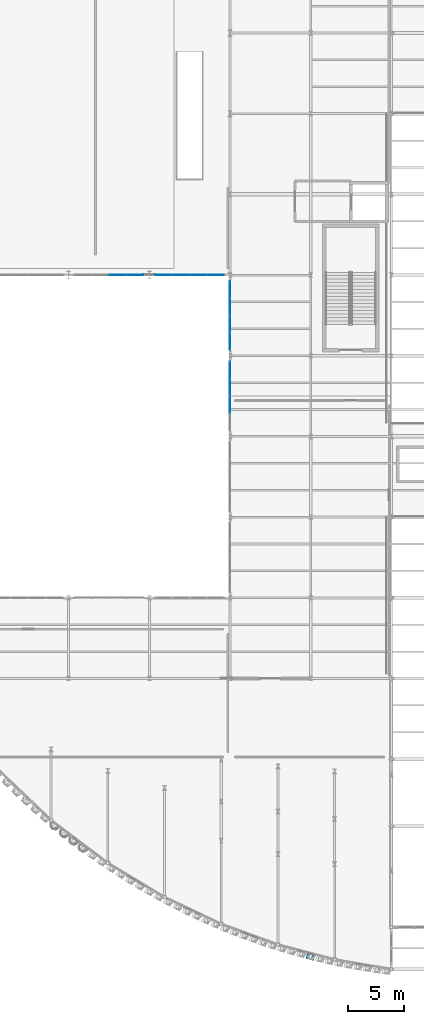
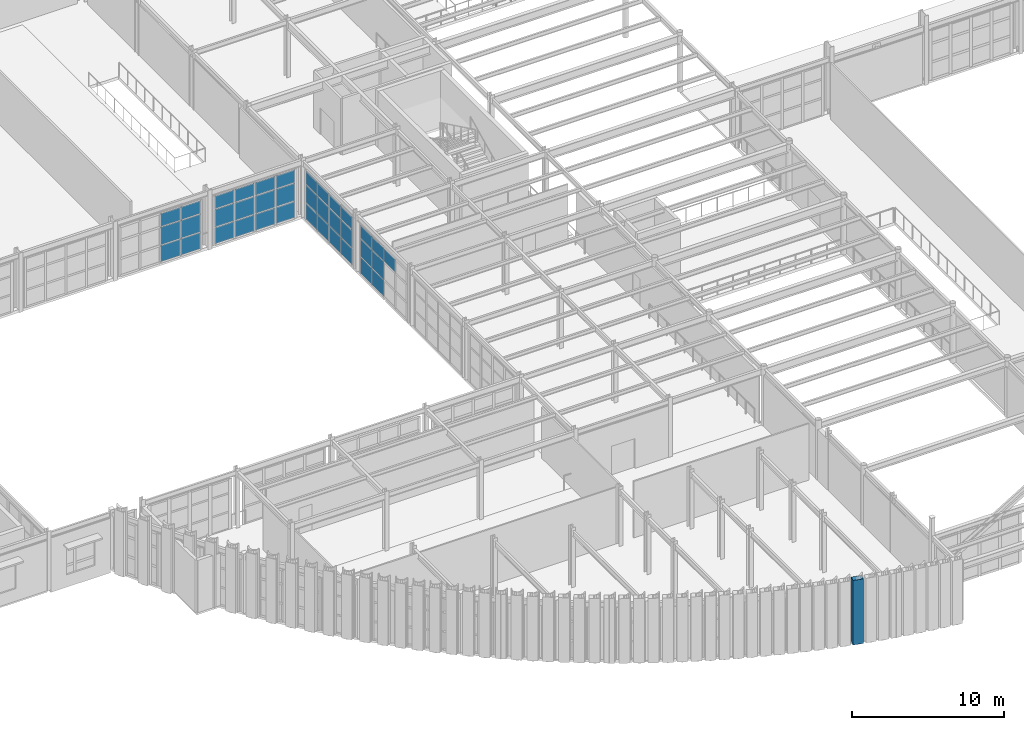
# One storey, part 87 of 126: 38 plates, 4 elements without a shape of their own.
"""IFC4 building model written with IfcOpenShell, lengths in metres."""

from ifc_helpers import new_model, si_unit, direction, frame, origin, origin_2d, place, context, subcontext, project, spatial, rectangle, extrude, material, layer, layer_set, type_object, element, aggregate, save


model = new_model("IFC4")

# Units and contexts
model_context = context("Model", 3, precision=1e-05, world=origin(), true_north=direction((0.0, 1.0)))
body_context = subcontext(model_context, "Body", "Model", "MODEL_VIEW")
ifc_project = project(units=[si_unit("LENGTHUNIT", "METRE"), si_unit("AREAUNIT", "SQUARE_METRE"), si_unit("VOLUMEUNIT", "CUBIC_METRE"), si_unit("PLANEANGLEUNIT", "RADIAN"), si_unit("MASSUNIT", "GRAM", prefix="KILO")], contexts=[model_context])

# Site, building, storey
site_placement = place(None, origin())
site = spatial("IfcSite", under=ifc_project, at=site_placement, CompositionType="ELEMENT")
building_placement = place(site_placement, origin())
building = spatial("IfcBuilding", under=site, at=building_placement, Name="Solvadek Multi-Sports Hall", CompositionType="ELEMENT")
storey_placement = place(building_placement, frame((0.0, 0.0, 9.60009765625)))
storey = spatial("IfcBuildingStorey", under=building, at=storey_placement, Name="L02", CompositionType="ELEMENT", Elevation=9.60009765625)

# Curtain wall, plates
ifc_material_1 = material(Name="Anodised aluminium", Category="aluminium")
ifc_layer_1 = layer(ifc_material_1, 0.159912109375, Name="Anodised aluminium")
ifc_layer_set_1 = layer_set([ifc_layer_1], Name="Anodised aluminium")
curtain_wall_type_1 = type_object("IfcCurtainWallType", Name="ENV-CW-624X400", PredefinedType="USERDEFINED", material=ifc_layer_set_1)
curtain_wall_1_placement = place(storey_placement, origin())
curtain_wall_1 = element("IfcCurtainWall", 1, at=curtain_wall_1_placement, inside=storey, type_object=curtain_wall_type_1, Name="L02 Perimeter Bay Curtain Wall #173", ObjectType="CURTAIN WALL", PredefinedType="USERDEFINED")
ifc_material_2 = material(Name="Tempered laminated low-E glass", Category="glass")
ifc_layer_2 = layer(ifc_material_2, 0.02392578125, Name="Tempered laminated low-E glass")
ifc_layer_set_2 = layer_set([ifc_layer_2], Name="Tempered laminated low-E glass")
plate_type_1 = type_object("IfcPlateType", Name="ENV-CWP-01", PredefinedType="CURTAIN_PANEL", material=ifc_layer_set_2)
plate_1_placement = place(storey_placement, frame((47.580078125, 49.199951171875, 0.06494140625), z_axis=(0.0, 0.0, 1.0), x_axis=(1.0, 0.0, 0.0)))
plate_1 = element("IfcPlate", 2, at=plate_1_placement, type_object=plate_type_1, Name="CW-56 panel 3.1", PredefinedType="CURTAIN_PANEL", context=body_context, shape_type="SweptSolid", body=[
    extrude(rectangle(XDim=1.5, YDim=0.02392578125, at=origin_2d()), origin(), (0.0, 0.0, 1.0), 1.302490234375),
])
plate_2_placement = place(storey_placement, frame((47.580078125, 49.199951171875, 1.432373046875), z_axis=(0.0, 0.0, 1.0), x_axis=(1.0, 0.0, 0.0)))
plate_2 = element("IfcPlate", 3, at=plate_2_placement, type_object=plate_type_1, Name="CW-56 panel 3.2", PredefinedType="CURTAIN_PANEL", context=body_context, shape_type="SweptSolid", body=[
    extrude(rectangle(XDim=1.5, YDim=0.02392578125, at=origin_2d()), origin(), (0.0, 0.0, 1.0), 1.4150390625),
])
plate_3_placement = place(storey_placement, frame((47.580078125, 49.199951171875, 2.912353515625), z_axis=(0.0, 0.0, 1.0), x_axis=(1.0, 0.0, 0.0)))
plate_3 = element("IfcPlate", 4, at=plate_3_placement, type_object=plate_type_1, Name="CW-56 panel 3.3", PredefinedType="CURTAIN_PANEL", context=body_context, shape_type="SweptSolid", body=[
    extrude(rectangle(XDim=1.5, YDim=0.02392578125, at=origin_2d()), origin(), (0.0, 0.0, 1.0), 1.0224609375),
])
plate_4_placement = place(storey_placement, frame((49.125, 49.199951171875, 0.06494140625), z_axis=(0.0, 0.0, 1.0), x_axis=(1.0, 0.0, 0.0)))
plate_4 = element("IfcPlate", 5, at=plate_4_placement, type_object=plate_type_1, Name="CW-56 panel 4.1", PredefinedType="CURTAIN_PANEL", context=body_context, shape_type="SweptSolid", body=[
    extrude(rectangle(XDim=1.469970703125, YDim=0.02392578125, at=origin_2d()), origin(), (0.0, 0.0, 1.0), 1.302490234375),
])
plate_5_placement = place(storey_placement, frame((49.125, 49.199951171875, 1.432373046875), z_axis=(0.0, 0.0, 1.0), x_axis=(1.0, 0.0, 0.0)))
plate_5 = element("IfcPlate", 6, at=plate_5_placement, type_object=plate_type_1, Name="CW-56 panel 4.2", PredefinedType="CURTAIN_PANEL", context=body_context, shape_type="SweptSolid", body=[
    extrude(rectangle(XDim=1.469970703125, YDim=0.02392578125, at=origin_2d()), origin(), (0.0, 0.0, 1.0), 1.4150390625),
])
plate_6_placement = place(storey_placement, frame((49.125, 49.199951171875, 2.912353515625), z_axis=(0.0, 0.0, 1.0), x_axis=(1.0, 0.0, 0.0)))
plate_6 = element("IfcPlate", 7, at=plate_6_placement, type_object=plate_type_1, Name="CW-56 panel 4.3", PredefinedType="CURTAIN_PANEL", context=body_context, shape_type="SweptSolid", body=[
    extrude(rectangle(XDim=1.469970703125, YDim=0.02392578125, at=origin_2d()), origin(), (0.0, 0.0, 1.0), 1.0224609375),
])
aggregate(curtain_wall_1, [plate_1, plate_2, plate_3, plate_4, plate_5, plate_6])

curtain_wall_2_placement = place(storey_placement, origin())
curtain_wall_2 = element("IfcCurtainWall", 8, at=curtain_wall_2_placement, inside=storey, type_object=curtain_wall_type_1, Name="L02 Perimeter Bay Curtain Wall #196", ObjectType="CURTAIN WALL", PredefinedType="USERDEFINED")
plate_7_placement = place(storey_placement, frame((57.60009765625, 37.6201171875, 2.912353515625), z_axis=(0.0, 0.0, 1.0), x_axis=(0.0, 1.0, 0.0)))
plate_7 = element("IfcPlate", 9, at=plate_7_placement, type_object=plate_type_1, Name="CW-56 panel 2.3", PredefinedType="CURTAIN_PANEL", context=body_context, shape_type="SweptSolid", body=[
    extrude(rectangle(XDim=1.5, YDim=0.02392578125, at=origin_2d()), origin(), (0.0, 0.0, 1.0), 1.0224609375),
])
plate_8_placement = place(storey_placement, frame((57.60009765625, 39.179931640625, 0.06494140625), z_axis=(0.0, 0.0, 1.0), x_axis=(0.0, 1.0, 0.0)))
plate_8 = element("IfcPlate", 10, at=plate_8_placement, type_object=plate_type_1, Name="CW-56 panel 3.1", PredefinedType="CURTAIN_PANEL", context=body_context, shape_type="SweptSolid", body=[
    extrude(rectangle(XDim=1.5, YDim=0.02392578125, at=origin_2d()), origin(), (0.0, 0.0, 1.0), 1.302490234375),
])
plate_9_placement = place(storey_placement, frame((57.60009765625, 39.179931640625, 1.432373046875), z_axis=(0.0, 0.0, 1.0), x_axis=(0.0, 1.0, 0.0)))
plate_9 = element("IfcPlate", 11, at=plate_9_placement, type_object=plate_type_1, Name="CW-56 panel 3.2", PredefinedType="CURTAIN_PANEL", context=body_context, shape_type="SweptSolid", body=[
    extrude(rectangle(XDim=1.5, YDim=0.02392578125, at=origin_2d()), origin(), (0.0, 0.0, 1.0), 1.4150390625),
])
plate_10_placement = place(storey_placement, frame((57.60009765625, 39.179931640625, 2.912353515625), z_axis=(0.0, 0.0, 1.0), x_axis=(0.0, 1.0, 0.0)))
plate_10 = element("IfcPlate", 12, at=plate_10_placement, type_object=plate_type_1, Name="CW-56 panel 3.3", PredefinedType="CURTAIN_PANEL", context=body_context, shape_type="SweptSolid", body=[
    extrude(rectangle(XDim=1.5, YDim=0.02392578125, at=origin_2d()), origin(), (0.0, 0.0, 1.0), 1.0224609375),
])
plate_11_placement = place(storey_placement, frame((57.60009765625, 40.72509765625, 0.06494140625), z_axis=(0.0, 0.0, 1.0), x_axis=(0.0, 1.0, 0.0)))
plate_11 = element("IfcPlate", 13, at=plate_11_placement, type_object=plate_type_1, Name="CW-56 panel 4.1", PredefinedType="CURTAIN_PANEL", context=body_context, shape_type="SweptSolid", body=[
    extrude(rectangle(XDim=1.469970703125, YDim=0.02392578125, at=origin_2d()), origin(), (0.0, 0.0, 1.0), 1.302490234375),
])
plate_12_placement = place(storey_placement, frame((57.60009765625, 40.72509765625, 1.432373046875), z_axis=(0.0, 0.0, 1.0), x_axis=(0.0, 1.0, 0.0)))
plate_12 = element("IfcPlate", 14, at=plate_12_placement, type_object=plate_type_1, Name="CW-56 panel 4.2", PredefinedType="CURTAIN_PANEL", context=body_context, shape_type="SweptSolid", body=[
    extrude(rectangle(XDim=1.469970703125, YDim=0.02392578125, at=origin_2d()), origin(), (0.0, 0.0, 1.0), 1.4150390625),
])
plate_13_placement = place(storey_placement, frame((57.60009765625, 40.72509765625, 2.912353515625), z_axis=(0.0, 0.0, 1.0), x_axis=(0.0, 1.0, 0.0)))
plate_13 = element("IfcPlate", 15, at=plate_13_placement, type_object=plate_type_1, Name="CW-56 panel 4.3", PredefinedType="CURTAIN_PANEL", context=body_context, shape_type="SweptSolid", body=[
    extrude(rectangle(XDim=1.469970703125, YDim=0.02392578125, at=origin_2d()), origin(), (0.0, 0.0, 1.0), 1.0224609375),
])
aggregate(curtain_wall_2, [plate_7, plate_8, plate_9, plate_10, plate_11, plate_12, plate_13])

ifc_layer_3 = layer(ifc_material_1, 0.159912109375, Name="Anodised aluminium")
ifc_layer_set_3 = layer_set([ifc_layer_3], Name="Anodised aluminium")
curtain_wall_type_2 = type_object("IfcCurtainWallType", Name="ENV-CW-624X397", PredefinedType="USERDEFINED", material=ifc_layer_set_3)
curtain_wall_3_placement = place(storey_placement, origin())
curtain_wall_3 = element("IfcCurtainWall", 16, at=curtain_wall_3_placement, inside=storey, type_object=curtain_wall_type_2, Name="L02 Perimeter Bay Curtain Wall #179", ObjectType="CURTAIN WALL", PredefinedType="USERDEFINED")
ifc_layer_4 = layer(ifc_material_2, 0.028076171875, Name="Tempered laminated low-E glass")
ifc_layer_set_4 = layer_set([ifc_layer_4], Name="Tempered laminated low-E glass")
plate_type_2 = type_object("IfcPlateType", Name="ENV-CWP-02", PredefinedType="CURTAIN_PANEL", material=ifc_layer_set_4)
plate_14_placement = place(storey_placement, frame((51.67626953125, 49.199951171875, 0.06494140625), z_axis=(0.0, 0.0, 1.0), x_axis=(1.0, 0.0, 0.0)))
plate_14 = element("IfcPlate", 17, at=plate_14_placement, type_object=plate_type_2, Name="CW-57 panel 1.1", PredefinedType="CURTAIN_PANEL", context=body_context, shape_type="SweptSolid", body=[
    extrude(rectangle(XDim=1.46240234375, YDim=0.028076171875, at=origin_2d()), origin(), (0.0, 0.0, 1.0), 1.29345703125),
])
plate_15_placement = place(storey_placement, frame((51.67626953125, 49.199951171875, 1.42333984375), z_axis=(0.0, 0.0, 1.0), x_axis=(1.0, 0.0, 0.0)))
plate_15 = element("IfcPlate", 18, at=plate_15_placement, type_object=plate_type_2, Name="CW-57 panel 1.2", PredefinedType="CURTAIN_PANEL", context=body_context, shape_type="SweptSolid", body=[
    extrude(rectangle(XDim=1.46240234375, YDim=0.028076171875, at=origin_2d()), origin(), (0.0, 0.0, 1.0), 1.406005859375),
])
plate_16_placement = place(storey_placement, frame((51.67626953125, 49.199951171875, 2.89453125), z_axis=(0.0, 0.0, 1.0), x_axis=(1.0, 0.0, 0.0)))
plate_16 = element("IfcPlate", 19, at=plate_16_placement, type_object=plate_type_2, Name="CW-57 panel 1.3", PredefinedType="CURTAIN_PANEL", context=body_context, shape_type="SweptSolid", body=[
    extrude(rectangle(XDim=1.46240234375, YDim=0.028076171875, at=origin_2d()), origin(), (0.0, 0.0, 1.0), 1.015380859375),
])
plate_17_placement = place(storey_placement, frame((53.219970703125, 49.199951171875, 0.06494140625), z_axis=(0.0, 0.0, 1.0), x_axis=(1.0, 0.0, 0.0)))
plate_17 = element("IfcPlate", 20, at=plate_17_placement, type_object=plate_type_2, Name="CW-57 panel 2.1", PredefinedType="CURTAIN_PANEL", context=body_context, shape_type="SweptSolid", body=[
    extrude(rectangle(XDim=1.4951171875, YDim=0.028076171875, at=origin_2d()), origin(), (0.0, 0.0, 1.0), 1.29345703125),
])
plate_18_placement = place(storey_placement, frame((53.219970703125, 49.199951171875, 1.42333984375), z_axis=(0.0, 0.0, 1.0), x_axis=(1.0, 0.0, 0.0)))
plate_18 = element("IfcPlate", 21, at=plate_18_placement, type_object=plate_type_2, Name="CW-57 panel 2.2", PredefinedType="CURTAIN_PANEL", context=body_context, shape_type="SweptSolid", body=[
    extrude(rectangle(XDim=1.4951171875, YDim=0.028076171875, at=origin_2d()), origin(), (0.0, 0.0, 1.0), 1.406005859375),
])
plate_19_placement = place(storey_placement, frame((53.219970703125, 49.199951171875, 2.89453125), z_axis=(0.0, 0.0, 1.0), x_axis=(1.0, 0.0, 0.0)))
plate_19 = element("IfcPlate", 22, at=plate_19_placement, type_object=plate_type_2, Name="CW-57 panel 2.3", PredefinedType="CURTAIN_PANEL", context=body_context, shape_type="SweptSolid", body=[
    extrude(rectangle(XDim=1.4951171875, YDim=0.028076171875, at=origin_2d()), origin(), (0.0, 0.0, 1.0), 1.015380859375),
])
plate_20_placement = place(storey_placement, frame((54.780029296875, 49.199951171875, 0.06494140625), z_axis=(0.0, 0.0, 1.0), x_axis=(1.0, 0.0, 0.0)))
plate_20 = element("IfcPlate", 23, at=plate_20_placement, type_object=plate_type_2, Name="CW-57 panel 3.1", PredefinedType="CURTAIN_PANEL", context=body_context, shape_type="SweptSolid", body=[
    extrude(rectangle(XDim=1.4951171875, YDim=0.028076171875, at=origin_2d()), origin(), (0.0, 0.0, 1.0), 1.29345703125),
])
plate_21_placement = place(storey_placement, frame((54.780029296875, 49.199951171875, 1.42333984375), z_axis=(0.0, 0.0, 1.0), x_axis=(1.0, 0.0, 0.0)))
plate_21 = element("IfcPlate", 24, at=plate_21_placement, type_object=plate_type_2, Name="CW-57 panel 3.2", PredefinedType="CURTAIN_PANEL", context=body_context, shape_type="SweptSolid", body=[
    extrude(rectangle(XDim=1.4951171875, YDim=0.028076171875, at=origin_2d()), origin(), (0.0, 0.0, 1.0), 1.406005859375),
])
plate_22_placement = place(storey_placement, frame((54.780029296875, 49.199951171875, 2.89453125), z_axis=(0.0, 0.0, 1.0), x_axis=(1.0, 0.0, 0.0)))
plate_22 = element("IfcPlate", 25, at=plate_22_placement, type_object=plate_type_2, Name="CW-57 panel 3.3", PredefinedType="CURTAIN_PANEL", context=body_context, shape_type="SweptSolid", body=[
    extrude(rectangle(XDim=1.4951171875, YDim=0.028076171875, at=origin_2d()), origin(), (0.0, 0.0, 1.0), 1.015380859375),
])
plate_23_placement = place(storey_placement, frame((56.32373046875, 49.199951171875, 0.06494140625), z_axis=(0.0, 0.0, 1.0), x_axis=(1.0, 0.0, 0.0)))
plate_23 = element("IfcPlate", 26, at=plate_23_placement, type_object=plate_type_2, Name="CW-57 panel 4.1", PredefinedType="CURTAIN_PANEL", context=body_context, shape_type="SweptSolid", body=[
    extrude(rectangle(XDim=1.46240234375, YDim=0.028076171875, at=origin_2d()), origin(), (0.0, 0.0, 1.0), 1.29345703125),
])
plate_24_placement = place(storey_placement, frame((56.32373046875, 49.199951171875, 1.42333984375), z_axis=(0.0, 0.0, 1.0), x_axis=(1.0, 0.0, 0.0)))
plate_24 = element("IfcPlate", 27, at=plate_24_placement, type_object=plate_type_2, Name="CW-57 panel 4.2", PredefinedType="CURTAIN_PANEL", context=body_context, shape_type="SweptSolid", body=[
    extrude(rectangle(XDim=1.46240234375, YDim=0.028076171875, at=origin_2d()), origin(), (0.0, 0.0, 1.0), 1.406005859375),
])
plate_25_placement = place(storey_placement, frame((56.32373046875, 49.199951171875, 2.89453125), z_axis=(0.0, 0.0, 1.0), x_axis=(1.0, 0.0, 0.0)))
plate_25 = element("IfcPlate", 28, at=plate_25_placement, type_object=plate_type_2, Name="CW-57 panel 4.3", PredefinedType="CURTAIN_PANEL", context=body_context, shape_type="SweptSolid", body=[
    extrude(rectangle(XDim=1.46240234375, YDim=0.028076171875, at=origin_2d()), origin(), (0.0, 0.0, 1.0), 1.015380859375),
])
aggregate(curtain_wall_3, [plate_14, plate_15, plate_16, plate_17, plate_18, plate_19, plate_20, plate_21, plate_22, plate_23, plate_24, plate_25])

curtain_wall_4_placement = place(storey_placement, origin())
curtain_wall_4 = element("IfcCurtainWall", 29, at=curtain_wall_4_placement, inside=storey, type_object=curtain_wall_type_2, Name="L02 Perimeter Bay Curtain Wall #202", ObjectType="CURTAIN WALL", PredefinedType="USERDEFINED")
plate_26_placement = place(storey_placement, frame((57.60009765625, 43.2763671875, 0.06494140625), z_axis=(0.0, 0.0, 1.0), x_axis=(0.0, 1.0, 0.0)))
plate_26 = element("IfcPlate", 30, at=plate_26_placement, type_object=plate_type_2, Name="CW-57 panel 1.1", PredefinedType="CURTAIN_PANEL", context=body_context, shape_type="SweptSolid", body=[
    extrude(rectangle(XDim=1.46240234375, YDim=0.028076171875, at=origin_2d()), origin(), (0.0, 0.0, 1.0), 1.29345703125),
])
plate_27_placement = place(storey_placement, frame((57.60009765625, 43.2763671875, 1.42333984375), z_axis=(0.0, 0.0, 1.0), x_axis=(0.0, 1.0, 0.0)))
plate_27 = element("IfcPlate", 31, at=plate_27_placement, type_object=plate_type_2, Name="CW-57 panel 1.2", PredefinedType="CURTAIN_PANEL", context=body_context, shape_type="SweptSolid", body=[
    extrude(rectangle(XDim=1.46240234375, YDim=0.028076171875, at=origin_2d()), origin(), (0.0, 0.0, 1.0), 1.406005859375),
])
plate_28_placement = place(storey_placement, frame((57.60009765625, 43.2763671875, 2.89453125), z_axis=(0.0, 0.0, 1.0), x_axis=(0.0, 1.0, 0.0)))
plate_28 = element("IfcPlate", 32, at=plate_28_placement, type_object=plate_type_2, Name="CW-57 panel 1.3", PredefinedType="CURTAIN_PANEL", context=body_context, shape_type="SweptSolid", body=[
    extrude(rectangle(XDim=1.46240234375, YDim=0.028076171875, at=origin_2d()), origin(), (0.0, 0.0, 1.0), 1.015380859375),
])
plate_29_placement = place(storey_placement, frame((57.60009765625, 44.820068359375, 0.06494140625), z_axis=(0.0, 0.0, 1.0), x_axis=(0.0, 1.0, 0.0)))
plate_29 = element("IfcPlate", 33, at=plate_29_placement, type_object=plate_type_2, Name="CW-57 panel 2.1", PredefinedType="CURTAIN_PANEL", context=body_context, shape_type="SweptSolid", body=[
    extrude(rectangle(XDim=1.4951171875, YDim=0.028076171875, at=origin_2d()), origin(), (0.0, 0.0, 1.0), 1.29345703125),
])
plate_30_placement = place(storey_placement, frame((57.60009765625, 44.820068359375, 1.42333984375), z_axis=(0.0, 0.0, 1.0), x_axis=(0.0, 1.0, 0.0)))
plate_30 = element("IfcPlate", 34, at=plate_30_placement, type_object=plate_type_2, Name="CW-57 panel 2.2", PredefinedType="CURTAIN_PANEL", context=body_context, shape_type="SweptSolid", body=[
    extrude(rectangle(XDim=1.4951171875, YDim=0.028076171875, at=origin_2d()), origin(), (0.0, 0.0, 1.0), 1.406005859375),
])
plate_31_placement = place(storey_placement, frame((57.60009765625, 44.820068359375, 2.89453125), z_axis=(0.0, 0.0, 1.0), x_axis=(0.0, 1.0, 0.0)))
plate_31 = element("IfcPlate", 35, at=plate_31_placement, type_object=plate_type_2, Name="CW-57 panel 2.3", PredefinedType="CURTAIN_PANEL", context=body_context, shape_type="SweptSolid", body=[
    extrude(rectangle(XDim=1.4951171875, YDim=0.028076171875, at=origin_2d()), origin(), (0.0, 0.0, 1.0), 1.015380859375),
])
plate_32_placement = place(storey_placement, frame((57.60009765625, 46.3798828125, 0.06494140625), z_axis=(0.0, 0.0, 1.0), x_axis=(0.0, 1.0, 0.0)))
plate_32 = element("IfcPlate", 36, at=plate_32_placement, type_object=plate_type_2, Name="CW-57 panel 3.1", PredefinedType="CURTAIN_PANEL", context=body_context, shape_type="SweptSolid", body=[
    extrude(rectangle(XDim=1.4951171875, YDim=0.028076171875, at=origin_2d()), origin(), (0.0, 0.0, 1.0), 1.29345703125),
])
plate_33_placement = place(storey_placement, frame((57.60009765625, 46.3798828125, 1.42333984375), z_axis=(0.0, 0.0, 1.0), x_axis=(0.0, 1.0, 0.0)))
plate_33 = element("IfcPlate", 37, at=plate_33_placement, type_object=plate_type_2, Name="CW-57 panel 3.2", PredefinedType="CURTAIN_PANEL", context=body_context, shape_type="SweptSolid", body=[
    extrude(rectangle(XDim=1.4951171875, YDim=0.028076171875, at=origin_2d()), origin(), (0.0, 0.0, 1.0), 1.406005859375),
])
plate_34_placement = place(storey_placement, frame((57.60009765625, 46.3798828125, 2.89453125), z_axis=(0.0, 0.0, 1.0), x_axis=(0.0, 1.0, 0.0)))
plate_34 = element("IfcPlate", 38, at=plate_34_placement, type_object=plate_type_2, Name="CW-57 panel 3.3", PredefinedType="CURTAIN_PANEL", context=body_context, shape_type="SweptSolid", body=[
    extrude(rectangle(XDim=1.4951171875, YDim=0.028076171875, at=origin_2d()), origin(), (0.0, 0.0, 1.0), 1.015380859375),
])
plate_35_placement = place(storey_placement, frame((57.60009765625, 47.923828125, 0.06494140625), z_axis=(0.0, 0.0, 1.0), x_axis=(0.0, 1.0, 0.0)))
plate_35 = element("IfcPlate", 39, at=plate_35_placement, type_object=plate_type_2, Name="CW-57 panel 4.1", PredefinedType="CURTAIN_PANEL", context=body_context, shape_type="SweptSolid", body=[
    extrude(rectangle(XDim=1.46240234375, YDim=0.028076171875, at=origin_2d()), origin(), (0.0, 0.0, 1.0), 1.29345703125),
])
plate_36_placement = place(storey_placement, frame((57.60009765625, 47.923828125, 1.42333984375), z_axis=(0.0, 0.0, 1.0), x_axis=(0.0, 1.0, 0.0)))
plate_36 = element("IfcPlate", 40, at=plate_36_placement, type_object=plate_type_2, Name="CW-57 panel 4.2", PredefinedType="CURTAIN_PANEL", context=body_context, shape_type="SweptSolid", body=[
    extrude(rectangle(XDim=1.46240234375, YDim=0.028076171875, at=origin_2d()), origin(), (0.0, 0.0, 1.0), 1.406005859375),
])
plate_37_placement = place(storey_placement, frame((57.60009765625, 47.923828125, 2.89453125), z_axis=(0.0, 0.0, 1.0), x_axis=(0.0, 1.0, 0.0)))
plate_37 = element("IfcPlate", 41, at=plate_37_placement, type_object=plate_type_2, Name="CW-57 panel 4.3", PredefinedType="CURTAIN_PANEL", context=body_context, shape_type="SweptSolid", body=[
    extrude(rectangle(XDim=1.46240234375, YDim=0.028076171875, at=origin_2d()), origin(), (0.0, 0.0, 1.0), 1.015380859375),
])
aggregate(curtain_wall_4, [plate_26, plate_27, plate_28, plate_29, plate_30, plate_31, plate_32, plate_33, plate_34, plate_35, plate_36, plate_37])

# Plate
ifc_material_3 = material(Name="Perforated champagne-bronze anodised aluminium", Category="aluminium")
ifc_layer_5 = layer(ifc_material_3, 0.419921875, Name="Perforated champagne-bronze anodised aluminium")
ifc_layer_set_5 = layer_set([ifc_layer_5], Name="Perforated champagne-bronze anodised aluminium")
plate_type_3 = type_object("IfcPlateType", Name="ENV-FLT-520", PredefinedType="USERDEFINED", material=ifc_layer_set_5)
plate_38_placement = place(storey_placement, frame((64.754638671875, -11.683349609375, 0.0400390625), z_axis=(0.0, 0.0, 1.0), x_axis=(0.967172504077, -0.25412073382, 0.0)))
element("IfcPlate", 42, at=plate_38_placement, inside=storey, type_object=plate_type_3, Name="L02 Half-Cylinder Colonnade Flute #92", ObjectType="FLANGED_SHEET", PredefinedType="USERDEFINED", context=body_context, shape_type="SweptSolid", body=[
    extrude(rectangle(XDim=0.719970703125, YDim=0.419921875, at=origin_2d()), origin(), (0.0, 0.0, 1.0), 5.199951171875),
])

save(model, "model.ifc")
